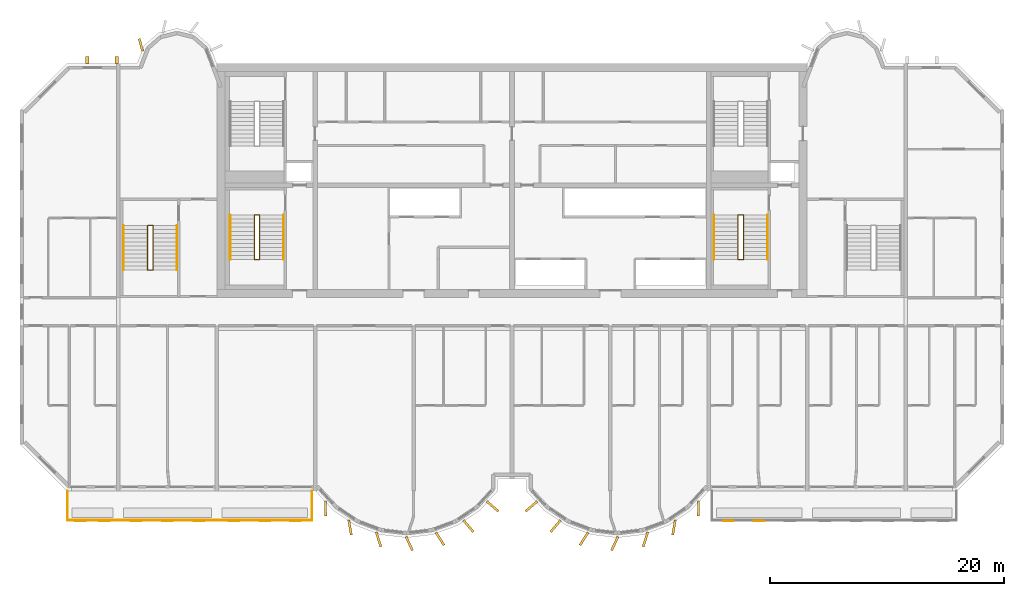
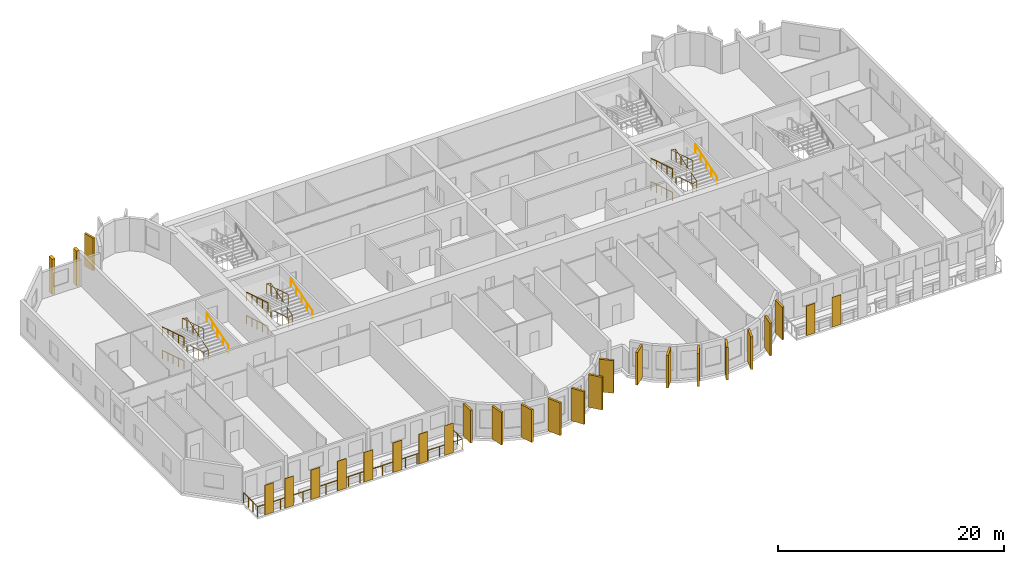
# One storey, part 11 of 13: 27 coverings, 13 railings.
"""IFC4 building model written with IfcOpenShell, lengths in metres."""

from ifc_helpers import new_model, si_unit, direction, frame, origin, origin_2d, place, context, subcontext, project, spatial, rectangle, circle, extrude, source, transform, mapped, material, layer, layer_set, material_profile, profile_set, type_object, element, save


model = new_model("IFC4")

# Units and contexts
model_context = context("Model", 3, precision=1e-05, world=origin(), true_north=direction((0.0, 1.0)))
body_context = subcontext(model_context, "Body", "Model", "MODEL_VIEW")
ifc_project = project(units=[si_unit("LENGTHUNIT", "METRE"), si_unit("AREAUNIT", "SQUARE_METRE"), si_unit("VOLUMEUNIT", "CUBIC_METRE"), si_unit("PLANEANGLEUNIT", "RADIAN"), si_unit("MASSUNIT", "GRAM", prefix="KILO")], contexts=[model_context])

# Site, building, storey
site_placement = place(None, origin())
site = spatial("IfcSite", under=ifc_project, at=site_placement, CompositionType="ELEMENT")
building_placement = place(site_placement, origin())
building = spatial("IfcBuilding", under=site, at=building_placement, Name="Vanashikhar Sky Hotel", CompositionType="ELEMENT")
storey_placement = place(building_placement, frame((0.0, 0.0, 197.199951171875)))
storey = spatial("IfcBuildingStorey", under=building, at=storey_placement, Name="L48", CompositionType="ELEMENT", Elevation=197.199951171875)

# Coverings
ifc_material_1 = material(Name="Concrete M60 dark", Category="concrete")
ifc_material_profile_1 = material_profile(ifc_material_1, rectangle(XDim=1.300048828125, YDim=0.199951171875, at=origin_2d()))
ifc_profile_set_1 = profile_set([ifc_material_profile_1], Name="Fin 1300 x 200")
covering_type_1 = type_object("IfcCoveringType", Name="Fin 1300 x 200", PredefinedType="CLADDING", material=ifc_profile_set_1)
shared_shape_1 = source(origin(), body_context, "Body", "SweptSolid", [
    extrude(rectangle(XDim=1.300048828125, YDim=0.199951171875, at=origin_2d()), origin(), (0.0, 0.0, 1.0), 3.52001953125),
])
for number, where, z_axis, x_axis, name in (
    (1, (34.482421875, 3.992919921875, 0.0), (0.0, 0.0, 1.0), (0.011588726826, -0.999932848451, 0.0), "Fin F1-1"),
    (2, (36.572509765625, 2.3779296875, 0.0), (0.0, 0.0, 1.0), (0.16989991575, -0.985461322746, 0.0), "Fin F1-2"),
    (3, (39.00830078125, 1.35693359375, 0.0), (0.0, 0.0, 1.0), (0.303966551867, -0.952682704444, 0.0), "Fin F1-3"),
    (4, (41.63232421875, 1.00146484375, 0.0), (0.0, 0.0, 1.0), (0.422618261741, -0.906307787037, 0.0), "Fin F1-4"),
    (5, (44.251953125, 1.416015625, 0.0), (0.0, 0.0, 1.0), (0.534411358496, -0.845224526331, 0.0), "Fin F1-5"),
    (6, (46.676025390625, 2.5, 0.0), (0.0, 0.0, 1.0), (0.645697609467, -0.763593214433, 0.0), "Fin F1-6"),
    (7, (48.7412109375, 4.1845703125, 0.0), (0.0, 0.0, 1.0), (0.758543912032, -0.65162192529, 0.0), "Fin F1-7"),
    (8, (52.058837890625, 4.1845703125, 0.0), (0.0, 0.0, 1.0), (-0.758543912032, -0.65162192529, 0.0), "Fin F2-1"),
    (9, (54.123779296875, 2.5, 0.0), (0.0, 0.0, 1.0), (-0.645697609467, -0.763593214433, 0.0), "Fin F2-2"),
    (10, (56.547119140625, 1.416015625, 0.0), (0.0, 0.0, 1.0), (-0.534411358496, -0.845224526331, 0.0), "Fin F2-3"),
    (11, (59.16748046875, 1.00146484375, 0.0), (0.0, 0.0, 1.0), (-0.422618261741, -0.906307787037, 0.0), "Fin F2-4"),
    (12, (61.790771484375, 1.35693359375, 0.0), (0.0, 0.0, 1.0), (-0.303966551867, -0.952682704444, 0.0), "Fin F2-5"),
    (13, (64.2275390625, 2.3779296875, 0.0), (0.0, 0.0, 1.0), (-0.16989991575, -0.985461322746, 0.0), "Fin F2-6"),
    (14, (66.317626953125, 3.992919921875, 0.0), (0.0, 0.0, 1.0), (-0.011588726826, -0.999932848451, 0.0), "Fin F2-7"),
):
    element("IfcCovering", number, at=place(storey_placement, frame(where, z_axis=z_axis, x_axis=x_axis)), inside=storey, type_object=covering_type_1, Name=name, PredefinedType="CLADDING", context=body_context, shape_type="MappedRepresentation", body=[
        mapped(shared_shape_1, transform((0.0, 0.0, 0.0), scale=1.0)),
    ])
ifc_material_profile_2 = material_profile(ifc_material_1, rectangle(XDim=1.10009765625, YDim=0.199951171875, at=origin_2d()))
ifc_profile_set_2 = profile_set([ifc_material_profile_2], Name="Rear lobe fin 1100 x 200")
covering_type_2 = type_object("IfcCoveringType", Name="Rear lobe fin 1100 x 200", PredefinedType="CLADDING", material=ifc_profile_set_2)
shared_shape_2 = source(origin(), body_context, "Body", "SweptSolid", [
    extrude(rectangle(XDim=1.10009765625, YDim=0.199951171875, at=origin_2d()), origin(), (0.0, 0.0, 1.0), 3.52001953125),
])
covering_placement = place(storey_placement, frame((18.720703125, 43.580078125, 0.0), z_axis=(0.0, 0.0, 1.0), x_axis=(-0.262711264409, 0.964874495234, 0.0)))
element("IfcCovering", 15, at=covering_placement, inside=storey, type_object=covering_type_2, Name="Fin R1-1", PredefinedType="CLADDING", context=body_context, shape_type="MappedRepresentation", body=[
    mapped(shared_shape_2, transform((0.0, 0.0, 0.0), scale=1.0)),
])
ifc_material_2 = material(Name="Terracotta", Category="masonry")
ifc_layer = layer(ifc_material_2, 0.06005859375)
ifc_layer_set = layer_set([ifc_layer], Name="Terracotta baguette screen")
covering_type_3 = type_object("IfcCoveringType", Name="Terracotta baguette screen", PredefinedType="CLADDING", material=ifc_layer_set)
shared_shape_3 = source(origin(), body_context, "Body", "SweptSolid", [
    extrude(rectangle(XDim=0.89990234375, YDim=0.06005859375, at=origin_2d()), origin(), (0.0, 0.0, 1.0), 3.199951171875),
])
for number, where, z_axis, x_axis, name in (
    (16, (13.574951171875, 2.929931640625, -0.0498046875), (0.0, 0.0, 1.0), (1.0, 0.0, 0.0), "Terracotta screen"),
    (17, (15.625, 2.929931640625, -0.0498046875), (0.0, 0.0, 1.0), (1.0, 0.0, 0.0), "Terracotta screen"),
    (18, (18.300048828125, 2.929931640625, -0.0498046875), (0.0, 0.0, 1.0), (1.0, 0.0, 0.0), "Terracotta screen"),
    (19, (21.0, 2.929931640625, -0.0498046875), (0.0, 0.0, 1.0), (1.0, 0.0, 0.0), "Terracotta screen"),
    (20, (23.699951171875, 2.929931640625, -0.0498046875), (0.0, 0.0, 1.0), (1.0, 0.0, 0.0), "Terracotta screen"),
    (21, (26.666748046875, 2.929931640625, -0.0498046875), (0.0, 0.0, 1.0), (1.0, 0.0, 0.0), "Terracotta screen"),
    (22, (29.300048828125, 2.929931640625, -0.0498046875), (0.0, 0.0, 1.0), (1.0, 0.0, 0.0), "Terracotta screen"),
    (23, (31.933349609375, 2.929931640625, -0.0498046875), (0.0, 0.0, 1.0), (1.0, 0.0, 0.0), "Terracotta screen"),
    (24, (68.86669921875, 2.929931640625, -0.0498046875), (0.0, 0.0, 1.0), (1.0, 0.0, 0.0), "Terracotta screen"),
    (25, (71.5, 2.929931640625, -0.0498046875), (0.0, 0.0, 1.0), (1.0, 0.0, 0.0), "Terracotta screen"),
):
    element("IfcCovering", number, at=place(storey_placement, frame(where, z_axis=z_axis, x_axis=x_axis)), inside=storey, type_object=covering_type_3, Name=name, PredefinedType="CLADDING", context=body_context, shape_type="MappedRepresentation", body=[
        mapped(shared_shape_3, transform((0.0, 0.0, 0.0), scale=1.0)),
    ])

# Railing
ifc_material_3 = material(Name="Stainless steel 316", Category="steel")
railing_type_1 = type_object("IfcRailingType", Name="Balcony guard 1100", PredefinedType="GUARDRAIL", material=ifc_material_3)
shared_shape_4 = source(origin(), body_context, "Body", "SweptSolid", [
    extrude(circle(Radius=0.02392578125, at=origin_2d()), frame((0.0, 0.0, 1.076171875), z_axis=(0.0, -1.0, 0.0), x_axis=(1.0, 0.0, 0.0)), (0.0, 0.0, 1.0), 2.5),
    extrude(circle(Radius=0.02392578125, at=origin_2d()), frame((0.0, -2.5, 1.076171875), z_axis=(1.0, 0.0, 0.0), x_axis=(0.0, 1.0, 0.0)), (0.0, 0.0, 1.0), 20.880126953125),
    extrude(circle(Radius=0.02392578125, at=origin_2d()), frame((20.880126953125, -2.5, 1.076171875), z_axis=(0.0, 1.0, 0.0), x_axis=(-1.0, 0.0, 0.0)), (0.0, 0.0, 1.0), 2.5),
    extrude(circle(Radius=0.02099609375, at=origin_2d()), origin(), (0.0, 0.0, 1.0), 1.052001953125),
    extrude(circle(Radius=0.02099609375, at=origin_2d()), frame((0.0, -0.833251953125, 0.0)), (0.0, 0.0, 1.0), 1.052001953125),
    extrude(circle(Radius=0.02099609375, at=origin_2d()), frame((0.0, -1.666748046875, 0.0)), (0.0, 0.0, 1.0), 1.052001953125),
    extrude(circle(Radius=0.02099609375, at=origin_2d()), frame((0.0, -2.5, 0.0)), (0.0, 0.0, 1.0), 1.052001953125),
    extrude(circle(Radius=0.02099609375, at=origin_2d()), frame((1.159912109375, -2.5, 0.0)), (0.0, 0.0, 1.0), 1.052001953125),
    extrude(circle(Radius=0.02099609375, at=origin_2d()), frame((2.320068359375, -2.5, 0.0)), (0.0, 0.0, 1.0), 1.052001953125),
    extrude(circle(Radius=0.02099609375, at=origin_2d()), frame((3.47998046875, -2.5, 0.0)), (0.0, 0.0, 1.0), 1.052001953125),
    extrude(circle(Radius=0.02099609375, at=origin_2d()), frame((4.64013671875, -2.5, 0.0)), (0.0, 0.0, 1.0), 1.052001953125),
    extrude(circle(Radius=0.02099609375, at=origin_2d()), frame((5.800048828125, -2.5, 0.0)), (0.0, 0.0, 1.0), 1.052001953125),
    extrude(circle(Radius=0.02099609375, at=origin_2d()), frame((6.9599609375, -2.5, 0.0)), (0.0, 0.0, 1.0), 1.052001953125),
    extrude(circle(Radius=0.02099609375, at=origin_2d()), frame((8.1201171875, -2.5, 0.0)), (0.0, 0.0, 1.0), 1.052001953125),
    extrude(circle(Radius=0.02099609375, at=origin_2d()), frame((9.280029296875, -2.5, 0.0)), (0.0, 0.0, 1.0), 1.052001953125),
    extrude(circle(Radius=0.02099609375, at=origin_2d()), frame((10.43994140625, -2.5, 0.0)), (0.0, 0.0, 1.0), 1.052001953125),
    extrude(circle(Radius=0.02099609375, at=origin_2d()), frame((11.60009765625, -2.5, 0.0)), (0.0, 0.0, 1.0), 1.052001953125),
    extrude(circle(Radius=0.02099609375, at=origin_2d()), frame((12.760009765625, -2.5, 0.0)), (0.0, 0.0, 1.0), 1.052001953125),
    extrude(circle(Radius=0.02099609375, at=origin_2d()), frame((13.920166015625, -2.5, 0.0)), (0.0, 0.0, 1.0), 1.052001953125),
    extrude(circle(Radius=0.02099609375, at=origin_2d()), frame((15.080078125, -2.5, 0.0)), (0.0, 0.0, 1.0), 1.052001953125),
    extrude(circle(Radius=0.02099609375, at=origin_2d()), frame((16.239990234375, -2.5, 0.0)), (0.0, 0.0, 1.0), 1.052001953125),
    extrude(circle(Radius=0.02099609375, at=origin_2d()), frame((17.400146484375, -2.5, 0.0)), (0.0, 0.0, 1.0), 1.052001953125),
    extrude(circle(Radius=0.02099609375, at=origin_2d()), frame((18.56005859375, -2.5, 0.0)), (0.0, 0.0, 1.0), 1.052001953125),
    extrude(circle(Radius=0.02099609375, at=origin_2d()), frame((19.72021484375, -2.5, 0.0)), (0.0, 0.0, 1.0), 1.052001953125),
    extrude(circle(Radius=0.02099609375, at=origin_2d()), frame((20.880126953125, -2.5, 0.0)), (0.0, 0.0, 1.0), 1.052001953125),
    extrude(circle(Radius=0.02099609375, at=origin_2d()), frame((20.880126953125, -1.666748046875, 0.0)), (0.0, 0.0, 1.0), 1.052001953125),
    extrude(circle(Radius=0.02099609375, at=origin_2d()), frame((20.880126953125, -0.833251953125, 0.0)), (0.0, 0.0, 1.0), 1.052001953125),
    extrude(circle(Radius=0.02099609375, at=origin_2d()), frame((20.880126953125, 0.0, 0.0)), (0.0, 0.0, 1.0), 1.052001953125),
])
railing_1_placement = place(storey_placement, frame((12.4599609375, 5.5, -0.050048828125)))
element("IfcRailing", 26, at=railing_1_placement, inside=storey, type_object=railing_type_1, Name="Balcony guard", PredefinedType="GUARDRAIL", context=body_context, shape_type="MappedRepresentation", body=[
    mapped(shared_shape_4, transform((0.0, 0.0, 0.0), scale=1.0)),
])

# Coverings
ifc_material_profile_3 = material_profile(ifc_material_1, rectangle(XDim=0.60009765625, YDim=0.300048828125, at=origin_2d()))
ifc_profile_set_3 = profile_set([ifc_material_profile_3], Name="Rear rib 600 x 300")
covering_type_4 = type_object("IfcCoveringType", Name="Rear rib 600 x 300", PredefinedType="CLADDING", material=ifc_profile_set_3)
shared_shape_5 = source(origin(), body_context, "Body", "SweptSolid", [
    extrude(rectangle(XDim=0.60009765625, YDim=0.300048828125, at=origin_2d()), origin(), (0.0, 0.0, 1.0), 3.800048828125),
])
for number, where, z_axis, x_axis, name in (
    (27, (14.14990234375, 42.300048828125, -0.280029296875), (0.0, 0.0, 1.0), (0.0, 1.0, 0.0), "Rear rib"),
    (28, (16.64990234375, 42.300048828125, -0.280029296875), (0.0, 0.0, 1.0), (0.0, 1.0, 0.0), "Rear rib"),
):
    element("IfcCovering", number, at=place(storey_placement, frame(where, z_axis=z_axis, x_axis=x_axis)), inside=storey, type_object=covering_type_4, Name=name, PredefinedType="CLADDING", context=body_context, shape_type="MappedRepresentation", body=[
        mapped(shared_shape_5, transform((0.0, 0.0, 0.0), scale=1.0)),
    ])

# Railings
ifc_material_4 = material(Name="Steel S355", Category="steel")
railing_type_2 = type_object("IfcRailingType", Name="Stair handrail 900", PredefinedType="HANDRAIL", material=ifc_material_4)
shared_shape_6 = source(origin(), body_context, "Body", "SweptSolid", [
    extrude(circle(Radius=0.02392578125, at=origin_2d()), frame((0.0, 0.0, 0.8759765625), z_axis=(0.0, 0.95635109408, 0.292220096591), x_axis=(-1.0, 0.0, 0.0)), (0.0, 0.0, 1.0), 3.973388671875),
    extrude(circle(Radius=0.02099609375, at=origin_2d()), origin(), (0.0, 0.0, 1.0), 0.851806640625),
    extrude(circle(Radius=0.02099609375, at=origin_2d()), frame((0.0, 0.949951171875, 0.290283203125)), (0.0, 0.0, 1.0), 0.851806640625),
    extrude(circle(Radius=0.02099609375, at=origin_2d()), frame((0.0, 1.89990234375, 0.58056640625)), (0.0, 0.0, 1.0), 0.851806640625),
    extrude(circle(Radius=0.02099609375, at=origin_2d()), frame((0.0, 2.85009765625, 0.870849609375)), (0.0, 0.0, 1.0), 0.851806640625),
    extrude(circle(Radius=0.02099609375, at=origin_2d()), frame((0.0, 3.800048828125, 1.1611328125)), (0.0, 0.0, 1.0), 0.851806640625),
])
for number, where, name in (
    (29, (30.89990234375, 25.25, 1.372314453125), "Exit stair 1 handrail"),
    (30, (72.199951171875, 25.25, 1.372314453125), "Exit stair 2 handrail"),
):
    element("IfcRailing", number, at=place(storey_placement, frame(where)), inside=storey, type_object=railing_type_2, Name=name, PredefinedType="HANDRAIL", context=body_context, shape_type="MappedRepresentation", body=[
        mapped(shared_shape_6, transform((0.0, 0.0, 0.0), scale=1.0)),
    ])
shared_shape_7 = source(origin(), body_context, "Body", "SweptSolid", [
    extrude(circle(Radius=0.02392578125, at=origin_2d()), frame((0.0, 0.0, 0.8759765625), z_axis=(0.0, -0.95635109408, 0.292220096591), x_axis=(1.0, 0.0, 0.0)), (0.0, 0.0, 1.0), 3.973388671875),
    extrude(circle(Radius=0.02099609375, at=origin_2d()), origin(), (0.0, 0.0, 1.0), 0.851806640625),
    extrude(circle(Radius=0.02099609375, at=origin_2d()), frame((0.0, -0.949951171875, 0.290283203125)), (0.0, 0.0, 1.0), 0.851806640625),
    extrude(circle(Radius=0.02099609375, at=origin_2d()), frame((0.0, -1.89990234375, 0.58056640625)), (0.0, 0.0, 1.0), 0.851806640625),
    extrude(circle(Radius=0.02099609375, at=origin_2d()), frame((0.0, -2.85009765625, 0.870849609375)), (0.0, 0.0, 1.0), 0.851806640625),
    extrude(circle(Radius=0.02099609375, at=origin_2d()), frame((0.0, -3.800048828125, 1.1611328125)), (0.0, 0.0, 1.0), 0.851806640625),
])
for number, where, name in (
    (31, (26.35009765625, 29.050048828125, 2.638916015625), "Exit stair 1 handrail"),
    (32, (67.64990234375, 29.050048828125, 2.638916015625), "Exit stair 2 handrail"),
):
    element("IfcRailing", number, at=place(storey_placement, frame(where)), inside=storey, type_object=railing_type_2, Name=name, PredefinedType="HANDRAIL", context=body_context, shape_type="MappedRepresentation", body=[
        mapped(shared_shape_7, transform((0.0, 0.0, 0.0), scale=1.0)),
    ])
railing_type_3 = type_object("IfcRailingType", Name="Stair guard 1100", PredefinedType="GUARDRAIL", material=ifc_material_4)
shared_shape_8 = source(origin(), body_context, "Body", "SweptSolid", [
    extrude(circle(Radius=0.02392578125, at=origin_2d()), frame((0.0, 0.0, 1.076171875), z_axis=(-0.973520925263, 0.0, 0.228597917917), x_axis=(0.0, -1.0, 0.0)), (0.0, 0.0, 1.0), 0.46240234375),
    extrude(circle(Radius=0.02392578125, at=origin_2d()), frame((-0.4501953125, 0.0, 1.181640625), z_axis=(0.0, -0.956368263741, 0.292163899395), x_axis=(1.0, 0.0, 0.0)), (0.0, 0.0, 1.0), 3.973388671875),
    extrude(circle(Radius=0.02392578125, at=origin_2d()), frame((-0.4501953125, -3.800048828125, 2.3427734375), z_axis=(0.973520925263, 0.0, 0.228597917917), x_axis=(0.0, 1.0, 0.0)), (0.0, 0.0, 1.0), 0.46240234375),
    extrude(circle(Radius=0.02392578125, at=origin_2d()), frame((0.0, -3.800048828125, 2.4482421875), z_axis=(0.0, 0.95635109408, 0.292220096591), x_axis=(-1.0, 0.0, 0.0)), (0.0, 0.0, 1.0), 3.973388671875),
    extrude(circle(Radius=0.02392578125, at=origin_2d()), frame((0.0, 0.0, 3.609375), z_axis=(-0.973638301096, 0.0, 0.228097476179), x_axis=(0.0, -1.0, 0.0)), (0.0, 0.0, 1.0), 0.46240234375),
    extrude(circle(Radius=0.02392578125, at=origin_2d()), frame((-0.4501953125, 0.0, 3.71484375), z_axis=(0.0, -0.95635109408, 0.292220096591), x_axis=(1.0, 0.0, 0.0)), (0.0, 0.0, 1.0), 3.973388671875),
    extrude(circle(Radius=0.02099609375, at=origin_2d()), origin(), (0.0, 0.0, 1.0), 1.052001953125),
    extrude(circle(Radius=0.02099609375, at=origin_2d()), frame((-0.4501953125, 0.0, 0.105712890625)), (0.0, 0.0, 1.0), 1.052001953125),
    extrude(circle(Radius=0.02099609375, at=origin_2d()), frame((-0.4501953125, -0.949951171875, 0.39599609375)), (0.0, 0.0, 1.0), 1.052001953125),
    extrude(circle(Radius=0.02099609375, at=origin_2d()), frame((-0.4501953125, -1.89990234375, 0.68603515625)), (0.0, 0.0, 1.0), 1.052001953125),
    extrude(circle(Radius=0.02099609375, at=origin_2d()), frame((-0.4501953125, -2.85009765625, 0.976318359375)), (0.0, 0.0, 1.0), 1.052001953125),
    extrude(circle(Radius=0.02099609375, at=origin_2d()), frame((-0.4501953125, -3.800048828125, 1.2666015625)), (0.0, 0.0, 1.0), 1.052001953125),
    extrude(circle(Radius=0.02099609375, at=origin_2d()), frame((0.0, -3.800048828125, 1.372314453125)), (0.0, 0.0, 1.0), 1.052001953125),
    extrude(circle(Radius=0.02099609375, at=origin_2d()), frame((0.0, -2.85009765625, 1.66259765625)), (0.0, 0.0, 1.0), 1.052001953125),
    extrude(circle(Radius=0.02099609375, at=origin_2d()), frame((0.0, -1.89990234375, 1.952880859375)), (0.0, 0.0, 1.0), 1.052001953125),
    extrude(circle(Radius=0.02099609375, at=origin_2d()), frame((0.0, -0.949951171875, 2.2431640625)), (0.0, 0.0, 1.0), 1.052001953125),
    extrude(circle(Radius=0.02099609375, at=origin_2d()), frame((0.0, 0.0, 2.533447265625)), (0.0, 0.0, 1.0), 1.052001953125),
    extrude(circle(Radius=0.02099609375, at=origin_2d()), frame((-0.4501953125, 0.0, 2.638916015625)), (0.0, 0.0, 1.0), 1.052001953125),
    extrude(circle(Radius=0.02099609375, at=origin_2d()), frame((-0.4501953125, -0.949951171875, 2.92919921875)), (0.0, 0.0, 1.0), 1.052001953125),
    extrude(circle(Radius=0.02099609375, at=origin_2d()), frame((-0.4501953125, -1.89990234375, 3.219482421875)), (0.0, 0.0, 1.0), 1.052001953125),
    extrude(circle(Radius=0.02099609375, at=origin_2d()), frame((-0.4501953125, -2.85009765625, 3.509765625)), (0.0, 0.0, 1.0), 1.052001953125),
    extrude(circle(Radius=0.02099609375, at=origin_2d()), frame((-0.4501953125, -3.800048828125, 3.800048828125)), (0.0, 0.0, 1.0), 1.052001953125),
])
railing_2_placement = place(storey_placement, frame((28.85009765625, 29.050048828125, 0.0)))
element("IfcRailing", 33, at=railing_2_placement, inside=storey, type_object=railing_type_3, Name="Exit stair 1 guard", PredefinedType="GUARDRAIL", context=body_context, shape_type="MappedRepresentation", body=[
    mapped(shared_shape_8, transform((0.0, 0.0, 0.0), scale=1.0)),
])
shared_shape_9 = source(origin(), body_context, "Body", "SweptSolid", [
    extrude(circle(Radius=0.02392578125, at=origin_2d()), frame((0.0, 0.0, 0.8759765625), z_axis=(0.0, -0.956368263741, 0.292163899395), x_axis=(1.0, 0.0, 0.0)), (0.0, 0.0, 1.0), 3.973388671875),
    extrude(circle(Radius=0.02099609375, at=origin_2d()), origin(), (0.0, 0.0, 1.0), 0.851806640625),
    extrude(circle(Radius=0.02099609375, at=origin_2d()), frame((0.0, -0.949951171875, 0.290283203125)), (0.0, 0.0, 1.0), 0.851806640625),
    extrude(circle(Radius=0.02099609375, at=origin_2d()), frame((0.0, -1.89990234375, 0.58056640625)), (0.0, 0.0, 1.0), 0.851806640625),
    extrude(circle(Radius=0.02099609375, at=origin_2d()), frame((0.0, -2.85009765625, 0.87060546875)), (0.0, 0.0, 1.0), 0.851806640625),
    extrude(circle(Radius=0.02099609375, at=origin_2d()), frame((0.0, -3.800048828125, 1.160888671875)), (0.0, 0.0, 1.0), 0.851806640625),
])
for number, where, name in (
    (34, (26.35009765625, 29.050048828125, 0.105712890625), "Exit stair 1 handrail"),
    (35, (67.64990234375, 29.050048828125, 0.105712890625), "Exit stair 2 handrail"),
):
    element("IfcRailing", number, at=place(storey_placement, frame(where)), inside=storey, type_object=railing_type_2, Name=name, PredefinedType="HANDRAIL", context=body_context, shape_type="MappedRepresentation", body=[
        mapped(shared_shape_9, transform((0.0, 0.0, 0.0), scale=1.0)),
    ])
shared_shape_10 = source(origin(), body_context, "Body", "SweptSolid", [
    extrude(circle(Radius=0.02392578125, at=origin_2d()), frame((0.0, 0.0, 1.076171875), z_axis=(-0.973493315427, 0.0, 0.228715466945), x_axis=(0.0, -1.0, 0.0)), (0.0, 0.0, 1.0), 0.462158203125),
    extrude(circle(Radius=0.02392578125, at=origin_2d()), frame((-0.449951171875, 0.0, 1.181640625), z_axis=(0.0, -0.956368263741, 0.292163899395), x_axis=(1.0, 0.0, 0.0)), (0.0, 0.0, 1.0), 3.973388671875),
    extrude(circle(Radius=0.02392578125, at=origin_2d()), frame((-0.449951171875, -3.800048828125, 2.3427734375), z_axis=(0.973493315427, 0.0, 0.228715466945), x_axis=(0.0, 1.0, 0.0)), (0.0, 0.0, 1.0), 0.462158203125),
    extrude(circle(Radius=0.02392578125, at=origin_2d()), frame((0.0, -3.800048828125, 2.4482421875), z_axis=(0.0, 0.95635109408, 0.292220096591), x_axis=(-1.0, 0.0, 0.0)), (0.0, 0.0, 1.0), 3.973388671875),
    extrude(circle(Radius=0.02392578125, at=origin_2d()), frame((0.0, 0.0, 3.609375), z_axis=(-0.973610808694, 0.0, 0.228214796178), x_axis=(0.0, -1.0, 0.0)), (0.0, 0.0, 1.0), 0.462158203125),
    extrude(circle(Radius=0.02392578125, at=origin_2d()), frame((-0.449951171875, 0.0, 3.71484375), z_axis=(0.0, -0.95635109408, 0.292220096591), x_axis=(1.0, 0.0, 0.0)), (0.0, 0.0, 1.0), 3.973388671875),
    extrude(circle(Radius=0.02099609375, at=origin_2d()), origin(), (0.0, 0.0, 1.0), 1.052001953125),
    extrude(circle(Radius=0.02099609375, at=origin_2d()), frame((-0.449951171875, 0.0, 0.105712890625)), (0.0, 0.0, 1.0), 1.052001953125),
    extrude(circle(Radius=0.02099609375, at=origin_2d()), frame((-0.449951171875, -0.949951171875, 0.39599609375)), (0.0, 0.0, 1.0), 1.052001953125),
    extrude(circle(Radius=0.02099609375, at=origin_2d()), frame((-0.449951171875, -1.89990234375, 0.68603515625)), (0.0, 0.0, 1.0), 1.052001953125),
    extrude(circle(Radius=0.02099609375, at=origin_2d()), frame((-0.449951171875, -2.85009765625, 0.976318359375)), (0.0, 0.0, 1.0), 1.052001953125),
    extrude(circle(Radius=0.02099609375, at=origin_2d()), frame((-0.449951171875, -3.800048828125, 1.2666015625)), (0.0, 0.0, 1.0), 1.052001953125),
    extrude(circle(Radius=0.02099609375, at=origin_2d()), frame((0.0, -3.800048828125, 1.372314453125)), (0.0, 0.0, 1.0), 1.052001953125),
    extrude(circle(Radius=0.02099609375, at=origin_2d()), frame((0.0, -2.85009765625, 1.66259765625)), (0.0, 0.0, 1.0), 1.052001953125),
    extrude(circle(Radius=0.02099609375, at=origin_2d()), frame((0.0, -1.89990234375, 1.952880859375)), (0.0, 0.0, 1.0), 1.052001953125),
    extrude(circle(Radius=0.02099609375, at=origin_2d()), frame((0.0, -0.949951171875, 2.2431640625)), (0.0, 0.0, 1.0), 1.052001953125),
    extrude(circle(Radius=0.02099609375, at=origin_2d()), frame((0.0, 0.0, 2.533447265625)), (0.0, 0.0, 1.0), 1.052001953125),
    extrude(circle(Radius=0.02099609375, at=origin_2d()), frame((-0.449951171875, 0.0, 2.638916015625)), (0.0, 0.0, 1.0), 1.052001953125),
    extrude(circle(Radius=0.02099609375, at=origin_2d()), frame((-0.449951171875, -0.949951171875, 2.92919921875)), (0.0, 0.0, 1.0), 1.052001953125),
    extrude(circle(Radius=0.02099609375, at=origin_2d()), frame((-0.449951171875, -1.89990234375, 3.219482421875)), (0.0, 0.0, 1.0), 1.052001953125),
    extrude(circle(Radius=0.02099609375, at=origin_2d()), frame((-0.449951171875, -2.85009765625, 3.509765625)), (0.0, 0.0, 1.0), 1.052001953125),
    extrude(circle(Radius=0.02099609375, at=origin_2d()), frame((-0.449951171875, -3.800048828125, 3.800048828125)), (0.0, 0.0, 1.0), 1.052001953125),
])
railing_3_placement = place(storey_placement, frame((70.14990234375, 29.050048828125, 0.0)))
element("IfcRailing", 36, at=railing_3_placement, inside=storey, type_object=railing_type_3, Name="Exit stair 2 guard", PredefinedType="GUARDRAIL", context=body_context, shape_type="MappedRepresentation", body=[
    mapped(shared_shape_10, transform((0.0, 0.0, 0.0), scale=1.0)),
])
shared_shape_11 = source(origin(), body_context, "Body", "SweptSolid", [
    extrude(circle(Radius=0.02392578125, at=origin_2d()), frame((0.0, 0.0, 0.8759765625), z_axis=(0.0, 0.956345846891, 0.292237268557), x_axis=(-1.0, 0.0, 0.0)), (0.0, 0.0, 1.0), 3.97314453125),
    extrude(circle(Radius=0.02099609375, at=origin_2d()), origin(), (0.0, 0.0, 1.0), 0.851806640625),
    extrude(circle(Radius=0.02099609375, at=origin_2d()), frame((0.0, 0.949951171875, 0.290283203125)), (0.0, 0.0, 1.0), 0.851806640625),
    extrude(circle(Radius=0.02099609375, at=origin_2d()), frame((0.0, 1.89990234375, 0.58056640625)), (0.0, 0.0, 1.0), 0.851806640625),
    extrude(circle(Radius=0.02099609375, at=origin_2d()), frame((0.0, 2.849853515625, 0.870849609375)), (0.0, 0.0, 1.0), 0.851806640625),
    extrude(circle(Radius=0.02099609375, at=origin_2d()), frame((0.0, 3.7998046875, 1.1611328125)), (0.0, 0.0, 1.0), 0.851806640625),
])
railing_4_placement = place(storey_placement, frame((21.800048828125, 24.35009765625, 1.372314453125)))
element("IfcRailing", 37, at=railing_4_placement, inside=storey, type_object=railing_type_2, Name="Exit stair 3 handrail", PredefinedType="HANDRAIL", context=body_context, shape_type="MappedRepresentation", body=[
    mapped(shared_shape_11, transform((0.0, 0.0, 0.0), scale=1.0)),
])
shared_shape_12 = source(origin(), body_context, "Body", "SweptSolid", [
    extrude(circle(Radius=0.02392578125, at=origin_2d()), frame((0.0, 0.0, 0.8759765625), z_axis=(0.0, -0.956345846891, 0.292237268557), x_axis=(1.0, 0.0, 0.0)), (0.0, 0.0, 1.0), 3.97314453125),
    extrude(circle(Radius=0.02099609375, at=origin_2d()), origin(), (0.0, 0.0, 1.0), 0.851806640625),
    extrude(circle(Radius=0.02099609375, at=origin_2d()), frame((0.0, -0.949951171875, 0.290283203125)), (0.0, 0.0, 1.0), 0.851806640625),
    extrude(circle(Radius=0.02099609375, at=origin_2d()), frame((0.0, -1.89990234375, 0.58056640625)), (0.0, 0.0, 1.0), 0.851806640625),
    extrude(circle(Radius=0.02099609375, at=origin_2d()), frame((0.0, -2.849853515625, 0.870849609375)), (0.0, 0.0, 1.0), 0.851806640625),
    extrude(circle(Radius=0.02099609375, at=origin_2d()), frame((0.0, -3.7998046875, 1.1611328125)), (0.0, 0.0, 1.0), 0.851806640625),
])
railing_5_placement = place(storey_placement, frame((17.25, 28.14990234375, 2.638916015625)))
element("IfcRailing", 38, at=railing_5_placement, inside=storey, type_object=railing_type_2, Name="Exit stair 3 handrail", PredefinedType="HANDRAIL", context=body_context, shape_type="MappedRepresentation", body=[
    mapped(shared_shape_12, transform((0.0, 0.0, 0.0), scale=1.0)),
])
shared_shape_13 = source(origin(), body_context, "Body", "SweptSolid", [
    extrude(circle(Radius=0.02392578125, at=origin_2d()), frame((0.0, 0.0, 1.076171875), z_axis=(-0.973493315427, 0.0, 0.228715466945), x_axis=(0.0, -1.0, 0.0)), (0.0, 0.0, 1.0), 0.462158203125),
    extrude(circle(Radius=0.02392578125, at=origin_2d()), frame((-0.449951171875, 0.0, 1.181640625), z_axis=(0.0, -0.956363018476, 0.292181068675), x_axis=(1.0, 0.0, 0.0)), (0.0, 0.0, 1.0), 3.97314453125),
    extrude(circle(Radius=0.02392578125, at=origin_2d()), frame((-0.449951171875, -3.7998046875, 2.3427734375), z_axis=(0.973493315427, 0.0, 0.228715466945), x_axis=(0.0, 1.0, 0.0)), (0.0, 0.0, 1.0), 0.462158203125),
    extrude(circle(Radius=0.02392578125, at=origin_2d()), frame((0.0, -3.7998046875, 2.4482421875), z_axis=(0.0, 0.956345846891, 0.292237268557), x_axis=(-1.0, 0.0, 0.0)), (0.0, 0.0, 1.0), 3.97314453125),
    extrude(circle(Radius=0.02392578125, at=origin_2d()), frame((0.0, 0.0, 3.609375), z_axis=(-0.973610808694, 0.0, 0.228214796178), x_axis=(0.0, -1.0, 0.0)), (0.0, 0.0, 1.0), 0.462158203125),
    extrude(circle(Radius=0.02392578125, at=origin_2d()), frame((-0.449951171875, 0.0, 3.71484375), z_axis=(0.0, -0.956345846891, 0.292237268557), x_axis=(1.0, 0.0, 0.0)), (0.0, 0.0, 1.0), 3.97314453125),
    extrude(circle(Radius=0.02099609375, at=origin_2d()), origin(), (0.0, 0.0, 1.0), 1.052001953125),
    extrude(circle(Radius=0.02099609375, at=origin_2d()), frame((-0.449951171875, 0.0, 0.105712890625)), (0.0, 0.0, 1.0), 1.052001953125),
    extrude(circle(Radius=0.02099609375, at=origin_2d()), frame((-0.449951171875, -0.949951171875, 0.39599609375)), (0.0, 0.0, 1.0), 1.052001953125),
    extrude(circle(Radius=0.02099609375, at=origin_2d()), frame((-0.449951171875, -1.89990234375, 0.68603515625)), (0.0, 0.0, 1.0), 1.052001953125),
    extrude(circle(Radius=0.02099609375, at=origin_2d()), frame((-0.449951171875, -2.849853515625, 0.976318359375)), (0.0, 0.0, 1.0), 1.052001953125),
    extrude(circle(Radius=0.02099609375, at=origin_2d()), frame((-0.449951171875, -3.7998046875, 1.2666015625)), (0.0, 0.0, 1.0), 1.052001953125),
    extrude(circle(Radius=0.02099609375, at=origin_2d()), frame((0.0, -3.7998046875, 1.372314453125)), (0.0, 0.0, 1.0), 1.052001953125),
    extrude(circle(Radius=0.02099609375, at=origin_2d()), frame((0.0, -2.849853515625, 1.66259765625)), (0.0, 0.0, 1.0), 1.052001953125),
    extrude(circle(Radius=0.02099609375, at=origin_2d()), frame((0.0, -1.89990234375, 1.952880859375)), (0.0, 0.0, 1.0), 1.052001953125),
    extrude(circle(Radius=0.02099609375, at=origin_2d()), frame((0.0, -0.949951171875, 2.2431640625)), (0.0, 0.0, 1.0), 1.052001953125),
    extrude(circle(Radius=0.02099609375, at=origin_2d()), frame((0.0, 0.0, 2.533447265625)), (0.0, 0.0, 1.0), 1.052001953125),
    extrude(circle(Radius=0.02099609375, at=origin_2d()), frame((-0.449951171875, 0.0, 2.638916015625)), (0.0, 0.0, 1.0), 1.052001953125),
    extrude(circle(Radius=0.02099609375, at=origin_2d()), frame((-0.449951171875, -0.949951171875, 2.92919921875)), (0.0, 0.0, 1.0), 1.052001953125),
    extrude(circle(Radius=0.02099609375, at=origin_2d()), frame((-0.449951171875, -1.89990234375, 3.219482421875)), (0.0, 0.0, 1.0), 1.052001953125),
    extrude(circle(Radius=0.02099609375, at=origin_2d()), frame((-0.449951171875, -2.849853515625, 3.509765625)), (0.0, 0.0, 1.0), 1.052001953125),
    extrude(circle(Radius=0.02099609375, at=origin_2d()), frame((-0.449951171875, -3.7998046875, 3.800048828125)), (0.0, 0.0, 1.0), 1.052001953125),
])
railing_6_placement = place(storey_placement, frame((19.75, 28.14990234375, 0.0)))
element("IfcRailing", 39, at=railing_6_placement, inside=storey, type_object=railing_type_3, Name="Exit stair 3 guard", PredefinedType="GUARDRAIL", context=body_context, shape_type="MappedRepresentation", body=[
    mapped(shared_shape_13, transform((0.0, 0.0, 0.0), scale=1.0)),
])
shared_shape_14 = source(origin(), body_context, "Body", "SweptSolid", [
    extrude(circle(Radius=0.02392578125, at=origin_2d()), frame((0.0, 0.0, 0.8759765625), z_axis=(0.0, -0.956363018476, 0.292181068675), x_axis=(1.0, 0.0, 0.0)), (0.0, 0.0, 1.0), 3.97314453125),
    extrude(circle(Radius=0.02099609375, at=origin_2d()), origin(), (0.0, 0.0, 1.0), 0.851806640625),
    extrude(circle(Radius=0.02099609375, at=origin_2d()), frame((0.0, -0.949951171875, 0.290283203125)), (0.0, 0.0, 1.0), 0.851806640625),
    extrude(circle(Radius=0.02099609375, at=origin_2d()), frame((0.0, -1.89990234375, 0.58056640625)), (0.0, 0.0, 1.0), 0.851806640625),
    extrude(circle(Radius=0.02099609375, at=origin_2d()), frame((0.0, -2.849853515625, 0.87060546875)), (0.0, 0.0, 1.0), 0.851806640625),
    extrude(circle(Radius=0.02099609375, at=origin_2d()), frame((0.0, -3.7998046875, 1.160888671875)), (0.0, 0.0, 1.0), 0.851806640625),
])
railing_7_placement = place(storey_placement, frame((17.25, 28.14990234375, 0.105712890625)))
element("IfcRailing", 40, at=railing_7_placement, inside=storey, type_object=railing_type_2, Name="Exit stair 3 handrail", PredefinedType="HANDRAIL", context=body_context, shape_type="MappedRepresentation", body=[
    mapped(shared_shape_14, transform((0.0, 0.0, 0.0), scale=1.0)),
])

save(model, "model.ifc")
